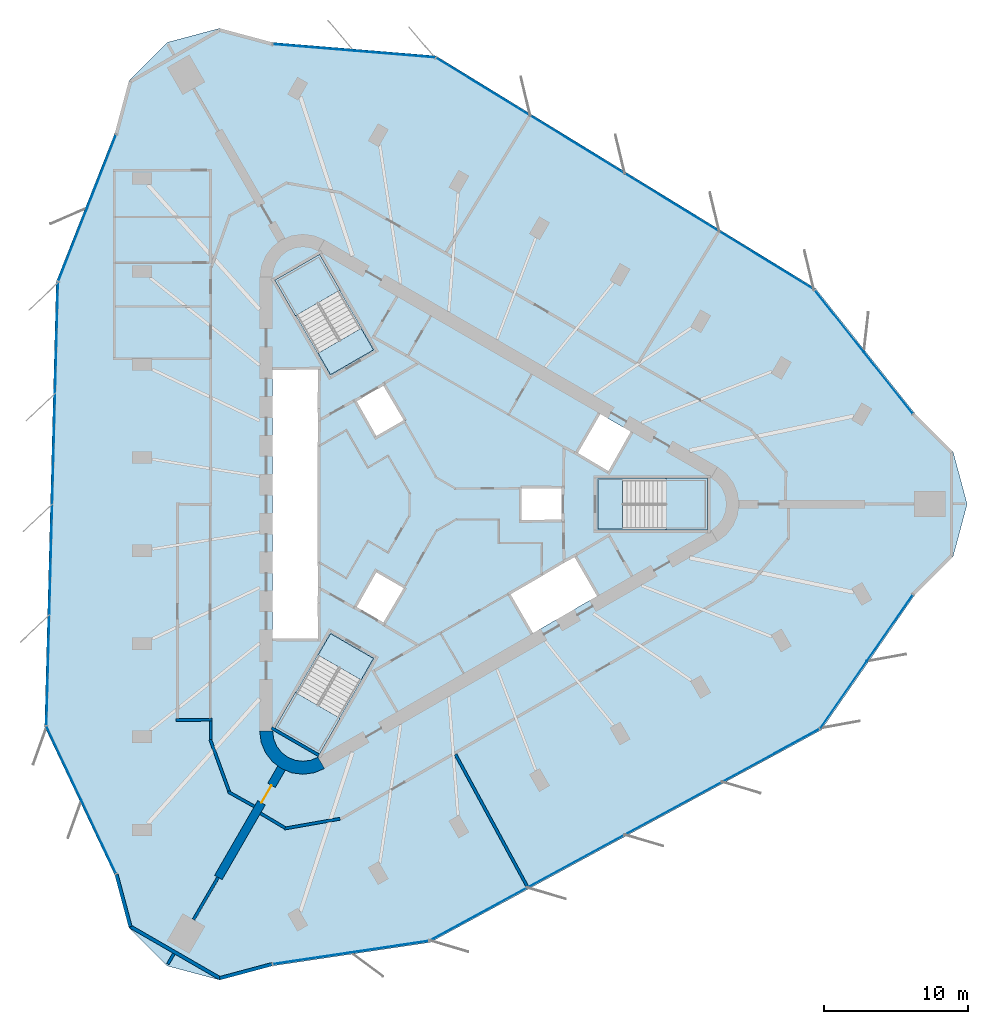
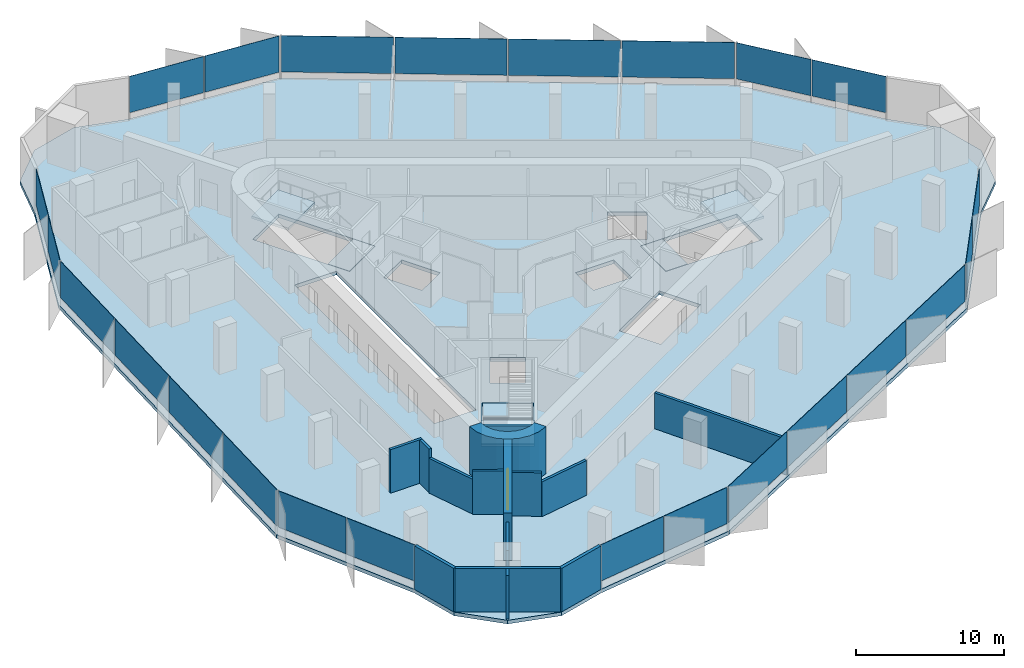
# One storey, part 7 of 13: 24 plates, 15 walls, 7 slabs, 1 door, 1 opening, 12 elements without a shape of their own.
"""IFC4 building model written with IfcOpenShell, lengths in metres."""

import ifcopenshell
import ifcopenshell.guid

model = None  # the IFC model being written
_history = None  # IfcOwnerHistory: only IFC2X3 demands one
_inside = {}  # id of a spatial element -> (the spatial element, [elements in it])
_under = {}  # id of a project, library or spatial element -> (it, [spatial elements below it])
_declared = {}  # id of a project -> (the project, [libraries it declares])
_typed = {}  # id of a type object -> (the type object, [elements of that type])
_made_of = {}  # id of a material, layer set ... -> (it, [elements and type objects made of it])


def new_model(schema):
    """Start an empty IFC model of exactly this schema.

    Asked for "IFC4X3", IfcOpenShell would pick the latest addendum, in which some entities
    have other attributes; the version numbers below select the first issue.
    IFC2X3 requires an IfcOwnerHistory on every rooted entity: one is made here for all.
    """
    global model, _history
    if schema == "IFC4X3":
        model = ifcopenshell.file(schema_version=(4, 3, 0, 0))
    else:
        model = ifcopenshell.file(schema=schema)
    _inside.clear()
    _under.clear()
    _declared.clear()
    _typed.clear()
    _made_of.clear()
    _history = None
    if model.schema == "IFC2X3":
        org = make("IfcOrganization", Name="unknown")
        user = make(
            "IfcPersonAndOrganization",
            ThePerson=make("IfcPerson", FamilyName="unknown"),
            TheOrganization=org,
        )
        app = make(
            "IfcApplication",
            ApplicationDeveloper=org,
            Version="unknown",
            ApplicationFullName="unknown",
            ApplicationIdentifier="unknown",
        )
        _history = make(
            "IfcOwnerHistory",
            OwningUser=user,
            OwningApplication=app,
            ChangeAction="ADDED",
            CreationDate=0,
        )
    return model


def make(cls, **values):
    """One entity of the class cls with the attributes given. An attribute that is None is left unset."""
    return model.create_entity(
        cls, **{name: value for name, value in values.items() if value is not None}
    )


def rooted(cls, **values):
    """An entity with a GlobalId (a new one), such as an element, a storey or a relation."""
    return make(cls, GlobalId=ifcopenshell.guid.new(), OwnerHistory=_history, **values)


def si_unit(unit_type, name, prefix=None):
    """IfcSIUnit, for example si_unit("LENGTHUNIT", "METRE", prefix="MILLI")."""
    return make("IfcSIUnit", UnitType=unit_type, Prefix=prefix, Name=name)


def assignment(units):
    """IfcUnitAssignment: the units of a project."""
    return None if units is None else make("IfcUnitAssignment", Units=units)


def point(xyz):
    """IfcCartesianPoint."""
    return None if xyz is None else make("IfcCartesianPoint", Coordinates=xyz)


def direction(xyz):
    """IfcDirection."""
    return None if xyz is None else make("IfcDirection", DirectionRatios=xyz)


def frame(location, z_axis=None, x_axis=None):
    """IfcAxis2Placement3D, a coordinate frame: its origin and axes. An axis left out is left unset."""
    return make(
        "IfcAxis2Placement3D",
        Location=point(location),
        Axis=direction(z_axis),
        RefDirection=direction(x_axis),
    )


def frame_2d(location, x_axis=None):
    """IfcAxis2Placement2D, a coordinate frame in the plane: its origin and x axis."""
    return make(
        "IfcAxis2Placement2D", Location=point(location), RefDirection=direction(x_axis)
    )


def origin():
    """The frame at (0, 0, 0) with its axes left unset."""
    return frame((0.0, 0.0, 0.0))


def origin_2d():
    """The frame at (0, 0) in the plane with its x axis left unset."""
    return frame_2d((0.0, 0.0))


def place(relative_to, where):
    """IfcLocalPlacement: puts the frame where relative to a parent placement (None: the world)."""
    return make(
        "IfcLocalPlacement", PlacementRelTo=relative_to, RelativePlacement=where
    )


def context(
    kind, dimensions, precision=None, world=None, true_north=None, identifier=None
):
    """IfcGeometricRepresentationContext, for example the 3D "Model" context."""
    return make(
        "IfcGeometricRepresentationContext",
        ContextIdentifier=identifier,
        ContextType=kind,
        CoordinateSpaceDimension=dimensions,
        Precision=precision,
        WorldCoordinateSystem=world,
        TrueNorth=true_north,
    )


def subcontext(parent, identifier, kind, view, scale=None):
    """IfcGeometricRepresentationSubContext, for example "Body" below "Model"."""
    return make(
        "IfcGeometricRepresentationSubContext",
        ContextIdentifier=identifier,
        ContextType=kind,
        ParentContext=parent,
        TargetScale=scale,
        TargetView=view,
    )


def project(units=None, contexts=None):
    """IfcProject with its units and contexts."""
    return rooted(
        "IfcProject",
        Name="project",
        RepresentationContexts=contexts,
        UnitsInContext=assignment(units),
    )


def spatial(cls, under=None, at=None, **own):
    """A site, building, storey or space (cls), placed at a placement, below another one or the project."""
    s = rooted(cls, ObjectPlacement=at, **own)
    if under is not None:
        _under.setdefault(under.id(), (under, []))[1].append(s)
    return s


def polyline(points):
    """IfcPolyline through the points."""
    return make("IfcPolyline", Points=[point(p) for p in points])


def profile(cls, at=None, kind="AREA", **sizes):
    """A parametric profile (cls). Its sizes go by their IFC names, for example OverallWidth=200.0."""
    return make(cls, ProfileType=kind, Position=at, **sizes)


def rectangle(**sizes):
    """IfcRectangleProfileDef."""
    return profile("IfcRectangleProfileDef", **sizes)


def outline(outer, holes=None, kind="AREA"):
    """IfcArbitraryClosedProfileDef: a profile drawn as a closed curve; with holes, ...WithVoids."""
    if holes is None:
        return make("IfcArbitraryClosedProfileDef", ProfileType=kind, OuterCurve=outer)
    return make(
        "IfcArbitraryProfileDefWithVoids",
        ProfileType=kind,
        OuterCurve=outer,
        InnerCurves=holes,
    )


def extrude(swept, where, along, depth):
    """IfcExtrudedAreaSolid: the profile swept, set in the frame where, extruded along a direction by depth."""
    return make(
        "IfcExtrudedAreaSolid",
        SweptArea=swept,
        Position=where,
        ExtrudedDirection=direction(along),
        Depth=depth,
    )


def shape(context_of_items, identifier, shape_type, items):
    """IfcShapeRepresentation: the items that make up one representation, for example the "Body"."""
    return make(
        "IfcShapeRepresentation",
        ContextOfItems=context_of_items,
        RepresentationIdentifier=identifier,
        RepresentationType=shape_type,
        Items=items,
    )


def material(Name=None, Category=None):
    """IfcMaterial."""
    return make("IfcMaterial", Name=Name, Category=Category)


def layer(
    of_material, thickness, ventilated=None, Name=None, Category=None, Priority=None
):
    """IfcMaterialLayer: one layer of a wall or slab, of a material (None: an air gap)."""
    return make(
        "IfcMaterialLayer",
        Material=of_material,
        LayerThickness=thickness,
        IsVentilated=ventilated,
        Name=Name,
        Category=Category,
        Priority=Priority,
    )


def layer_set(layers, Name=None):
    """IfcMaterialLayerSet."""
    return make("IfcMaterialLayerSet", MaterialLayers=layers, LayerSetName=Name)


def made_of(thing, what):
    """Note that an element or type object is made of a material, layer set ...; save() writes the relation."""
    if what is not None:
        _made_of.setdefault(what.id(), (what, []))[1].append(thing)
    return thing


def type_object(cls, material=None, **own):
    """A type object (cls), such as IfcWallType, which elements share."""
    return made_of(rooted(cls, **own), material)


def element(
    cls,
    number,
    at=None,
    inside=None,
    cuts=None,
    type_object=None,
    material=None,
    context=None,
    identifier="Body",
    shape_type=None,
    held_by="IfcProductDefinitionShape",
    body=None,
    shapes=None,
    **own,
):
    """One element of the class cls, such as IfcWall. Its Tag is "e" and its number.

    at: its placement. inside: the storey or other place that contains it. cuts: it is an
    opening in that element (IfcRelVoidsElement). A single representation is given by context,
    identifier, shape_type and body (its items); several are given by shapes. held_by: the class
    of the entity that holds the representations. save() writes the other relations.
    """
    e = rooted(cls, Tag="e%d" % number, ObjectPlacement=at, **own)
    if body is not None:
        shapes = [shape(context, identifier, shape_type, body)]
    if shapes is not None:
        e.Representation = make(held_by, Representations=shapes)
    if inside is not None:
        _inside.setdefault(inside.id(), (inside, []))[1].append(e)
    if cuts is not None:
        rooted(
            "IfcRelVoidsElement", RelatingBuildingElement=cuts, RelatedOpeningElement=e
        )
    if type_object is not None:
        _typed.setdefault(type_object.id(), (type_object, []))[1].append(e)
    return made_of(e, material)


def fill(opening, filler):
    """IfcRelFillsElement: the door or window that sits in an opening."""
    return rooted(
        "IfcRelFillsElement",
        RelatingOpeningElement=opening,
        RelatedBuildingElement=filler,
    )


def aggregate(whole, parts):
    """IfcRelAggregates: a whole, such as a stair, and the parts it consists of."""
    return rooted("IfcRelAggregates", RelatingObject=whole, RelatedObjects=parts)


def save(model, path):
    """Write the relations noted so far, then the file.

    IfcRelAggregates (storeys below a building ...), IfcRelContainedInSpatialStructure (elements
    in a storey), IfcRelDefinesByType, IfcRelAssociatesMaterial and IfcRelDeclares: one each for
    every whole, place, type object, material and project.
    """
    for whole, parts in _under.values():
        aggregate(whole, parts)
    for where, things in _inside.values():
        rooted(
            "IfcRelContainedInSpatialStructure",
            RelatedElements=things,
            RelatingStructure=where,
        )
    for kind, things in _typed.values():
        rooted("IfcRelDefinesByType", RelatedObjects=things, RelatingType=kind)
    for what, things in _made_of.values():
        rooted("IfcRelAssociatesMaterial", RelatedObjects=things, RelatingMaterial=what)
    for by, libraries in _declared.values():
        rooted("IfcRelDeclares", RelatingContext=by, RelatedDefinitions=libraries)
    model.write(path)


model = new_model("IFC4")

# Units and contexts
model_context = context("Model", 3, precision=1e-05, world=origin(), true_north=direction((0.0, 1.0)))
body_context = subcontext(model_context, "Body", "Model", "MODEL_VIEW")
ifc_project = project(units=[si_unit("LENGTHUNIT", "METRE"), si_unit("AREAUNIT", "SQUARE_METRE"), si_unit("VOLUMEUNIT", "CUBIC_METRE"), si_unit("PLANEANGLEUNIT", "RADIAN"), si_unit("MASSUNIT", "GRAM", prefix="KILO")], contexts=[model_context])

# Site, building, storey
site_placement = place(None, origin())
site = spatial("IfcSite", under=ifc_project, at=site_placement, CompositionType="ELEMENT")
building_placement = place(site_placement, origin())
building = spatial("IfcBuilding", under=site, at=building_placement, Name="Tanit Gate Tower", CompositionType="ELEMENT")
storey_placement = place(building_placement, frame((0.0, 0.0, 326.0)))
storey = spatial("IfcBuildingStorey", under=building, at=storey_placement, Name="L73", CompositionType="ELEMENT", Elevation=326.0)

# Slab
ifc_material_1 = material(Name="Concrete C35/45", Category="concrete")
ifc_layer_1 = layer(ifc_material_1, 0.300048828125)
ifc_layer_set_1 = layer_set([ifc_layer_1], Name="FLOOR SLAB 300 C35/45")
slab_type_1 = type_object("IfcSlabType", Name="FLOOR SLAB 300 C35/45", PredefinedType="FLOOR", material=ifc_layer_set_1)
slab_1_placement = place(storey_placement, frame((0.0, 0.0, -0.300048828125)))
element("IfcSlab", 1, at=slab_1_placement, inside=storey, type_object=slab_type_1, Name="FLOOR SLAB L73", PredefinedType="FLOOR", context=body_context, shape_type="SweptSolid", body=[
    extrude(outline(polyline([(33.388916015625, 6.315185546875), (36.05810546875, 3.64599609375), (37.034912109375, 0.0), (36.05810546875, -3.64599609375), (33.388916015625, -6.315185546875), (26.90185546875, -15.685791015625), (-0.26953125, -30.44287109375), (-11.225341796875, -32.0732421875), (-14.871337890625, -33.05029296875), (-18.517578125, -32.0732421875), (-21.186767578125, -29.404052734375), (-22.16357421875, -25.758056640625), (-27.035400390625, -15.454833984375), (-26.2294921875, 15.454833984375), (-22.16357421875, 25.758056640625), (-21.186767578125, 29.404052734375), (-18.517578125, 32.0732421875), (-14.871337890625, 33.05029296875), (-11.225341796875, 32.0732421875), (0.13330078125, 31.140625), (26.4990234375, 14.988037109375), (33.388916015625, 6.315185546875)]), holes=[polyline([(11.3701171875, 1.72998046875), (18.929931640625, 1.72998046875), (18.929931640625, -1.72998046875), (11.3701171875, -1.72998046875), (11.3701171875, 1.72998046875)]), polyline([(12.158935546875, 2.159912109375), (9.82080078125, 3.510009765625), (11.44580078125, 6.324462890625), (13.783935546875, 4.974609375), (12.158935546875, 2.159912109375)]), polyline([(11.44580078125, -6.324462890625), (6.76904296875, -9.0244140625), (5.14404296875, -6.2099609375), (9.82080078125, -3.510009765625), (11.44580078125, -6.324462890625)]), polyline([(6.0, 1.199951171875), (9.0, 1.199951171875), (9.0, -1.199951171875), (6.0, -1.199951171875), (6.0, 1.199951171875)]), polyline([(-4.039306640625, 4.59619140625), (-5.539306640625, 7.194091796875), (-3.460693359375, 8.394287109375), (-1.960693359375, 5.796142578125), (-4.039306640625, 4.59619140625)]), polyline([(-1.960693359375, -5.796142578125), (-3.460693359375, -8.394287109375), (-5.539306640625, -7.194091796875), (-4.039306640625, -4.59619140625), (-1.960693359375, -5.796142578125)]), polyline([(-7.18310546875, 8.981689453125), (-10.963134765625, 15.52880859375), (-7.966796875, 17.2587890625), (-4.186767578125, 10.711669921875), (-7.18310546875, 8.981689453125)]), polyline([(-4.186767578125, -10.711669921875), (-7.966796875, -17.2587890625), (-10.963134765625, -15.52880859375), (-7.18310546875, -8.981689453125), (-4.186767578125, -10.711669921875)]), polyline([(-11.199951171875, -9.449951171875), (-11.199951171875, 9.449951171875), (-7.949951171875, 9.449951171875), (-7.949951171875, -9.449951171875), (-11.199951171875, -9.449951171875)])]), origin(), (0.0, 0.0, 1.0), 0.300048828125),
])

# Curtain wall, plates
ifc_material_2 = material(Name="Aluminium bronze anodised and glass", Category="aluminium")
curtain_wall_type = type_object("IfcCurtainWallType", Name="Curtain wall typical high", PredefinedType="NOTDEFINED", material=ifc_material_2)
curtain_wall_1_placement = place(storey_placement, origin())
curtain_wall_1 = element("IfcCurtainWall", 2, at=curtain_wall_1_placement, inside=storey, type_object=curtain_wall_type, Name="Curtain wall L73 NE1", PredefinedType="NOTDEFINED")
ifc_material_3 = material(Name="Glass tinted", Category="glass")
ifc_layer_2 = layer(ifc_material_3, 0.028076171875)
ifc_layer_set_2 = layer_set([ifc_layer_2], Name="Glass panel 28 typical high")
plate_type = type_object("IfcPlateType", Name="Glass panel 28 typical high", PredefinedType="CURTAIN_PANEL", material=ifc_layer_set_2)
plate_1_placement = place(storey_placement, frame((31.566650390625, 8.416259765625, 0.60009765625), z_axis=(0.0, 0.0, 1.0), x_axis=(-0.622036020701, 0.782988626322, 0.0)))
plate_1 = element("IfcPlate", 3, at=plate_1_placement, type_object=plate_type, Name="Glass panel L73 NE1.1", PredefinedType="CURTAIN_PANEL", context=body_context, shape_type="SweptSolid", body=[
    extrude(rectangle(XDim=5.410888671875, YDim=0.028076171875, at=origin_2d()), origin(), (0.0, 0.0, 1.0), 3.0),
])
plate_2_placement = place(storey_placement, frame((28.15087890625, 12.715576171875, 0.60009765625), z_axis=(0.0, 0.0, 1.0), x_axis=(-0.622036020701, 0.782988626322, 0.0)))
plate_2 = element("IfcPlate", 4, at=plate_2_placement, type_object=plate_type, Name="Glass panel L73 NE1.2", PredefinedType="CURTAIN_PANEL", context=body_context, shape_type="SweptSolid", body=[
    extrude(rectangle(XDim=5.4111328125, YDim=0.028076171875, at=origin_2d()), origin(), (0.0, 0.0, 1.0), 3.0),
])
aggregate(curtain_wall_1, [plate_1, plate_2])

curtain_wall_2_placement = place(storey_placement, origin())
curtain_wall_2 = element("IfcCurtainWall", 5, at=curtain_wall_2_placement, inside=storey, type_object=curtain_wall_type, Name="Curtain wall L73 NE2", PredefinedType="NOTDEFINED")
plate_3_placement = place(storey_placement, frame((23.102294921875, 16.92822265625, 0.60009765625), z_axis=(0.0, 0.0, 1.0), x_axis=(-0.852699967985, 0.522400961521, 0.0)))
plate_3 = element("IfcPlate", 6, at=plate_3_placement, type_object=plate_type, Name="Glass panel L73 NE2.1", PredefinedType="CURTAIN_PANEL", context=body_context, shape_type="SweptSolid", body=[
    extrude(rectangle(XDim=7.61767578125, YDim=0.028076171875, at=origin_2d()), origin(), (0.0, 0.0, 1.0), 3.0),
])
plate_4_placement = place(storey_placement, frame((16.53857421875, 20.949462890625, 0.60009765625), z_axis=(0.0, 0.0, 1.0), x_axis=(-0.852699967985, 0.522400961521, 0.0)))
plate_4 = element("IfcPlate", 7, at=plate_4_placement, type_object=plate_type, Name="Glass panel L73 NE2.2", PredefinedType="CURTAIN_PANEL", context=body_context, shape_type="SweptSolid", body=[
    extrude(rectangle(XDim=7.61767578125, YDim=0.028076171875, at=origin_2d()), origin(), (0.0, 0.0, 1.0), 3.0),
])
plate_5_placement = place(storey_placement, frame((9.974853515625, 24.970703125, 0.60009765625), z_axis=(0.0, 0.0, 1.0), x_axis=(-0.852699967985, 0.522400961521, 0.0)))
plate_5 = element("IfcPlate", 8, at=plate_5_placement, type_object=plate_type, Name="Glass panel L73 NE2.3", PredefinedType="CURTAIN_PANEL", context=body_context, shape_type="SweptSolid", body=[
    extrude(rectangle(XDim=7.61767578125, YDim=0.028076171875, at=origin_2d()), origin(), (0.0, 0.0, 1.0), 3.0),
])
plate_6_placement = place(storey_placement, frame((3.4111328125, 28.991943359375, 0.60009765625), z_axis=(0.0, 0.0, 1.0), x_axis=(-0.852699967985, 0.522400961521, 0.0)))
plate_6 = element("IfcPlate", 9, at=plate_6_placement, type_object=plate_type, Name="Glass panel L73 NE2.4", PredefinedType="CURTAIN_PANEL", context=body_context, shape_type="SweptSolid", body=[
    extrude(rectangle(XDim=7.617431640625, YDim=0.028076171875, at=origin_2d()), origin(), (0.0, 0.0, 1.0), 3.0),
])
aggregate(curtain_wall_2, [plate_3, plate_4, plate_5, plate_6])

curtain_wall_3_placement = place(storey_placement, origin())
curtain_wall_3 = element("IfcCurtainWall", 10, at=curtain_wall_3_placement, inside=storey, type_object=curtain_wall_type, Name="Curtain wall L73 NE3", PredefinedType="NOTDEFINED")
plate_7_placement = place(storey_placement, frame((-2.760009765625, 31.2578125, 0.60009765625), z_axis=(0.0, 0.0, 1.0), x_axis=(-0.996646303076, 0.081829985733, 0.0)))
plate_7 = element("IfcPlate", 11, at=plate_7_placement, type_object=plate_type, Name="Glass panel L73 NE3.1", PredefinedType="CURTAIN_PANEL", context=body_context, shape_type="SweptSolid", body=[
    extrude(rectangle(XDim=5.569580078125, YDim=0.028076171875, at=origin_2d()), origin(), (0.0, 0.0, 1.0), 3.0),
])
plate_8_placement = place(storey_placement, frame((-8.390625, 31.72021484375, 0.60009765625), z_axis=(0.0, 0.0, 1.0), x_axis=(-0.996646303076, 0.081829985733, 0.0)))
plate_8 = element("IfcPlate", 12, at=plate_8_placement, type_object=plate_type, Name="Glass panel L73 NE3.2", PredefinedType="CURTAIN_PANEL", context=body_context, shape_type="SweptSolid", body=[
    extrude(rectangle(XDim=5.569580078125, YDim=0.028076171875, at=origin_2d()), origin(), (0.0, 0.0, 1.0), 3.0),
])
aggregate(curtain_wall_3, [plate_7, plate_8])

curtain_wall_4_placement = place(storey_placement, origin())
curtain_wall_4 = element("IfcCurtainWall", 13, at=curtain_wall_4_placement, inside=storey, type_object=curtain_wall_type, Name="Curtain wall L73 W1", PredefinedType="NOTDEFINED")
plate_9_placement = place(storey_placement, frame((-23.072021484375, 23.12939453125, 0.60009765625), z_axis=(0.0, 0.0, 1.0), x_axis=(-0.367070030919, -0.930193309157, 0.0)))
plate_9 = element("IfcPlate", 14, at=plate_9_placement, type_object=plate_type, Name="Glass panel L73 W1.1", PredefinedType="CURTAIN_PANEL", context=body_context, shape_type="SweptSolid", body=[
    extrude(rectangle(XDim=5.410888671875, YDim=0.028076171875, at=origin_2d()), origin(), (0.0, 0.0, 1.0), 3.0),
])
plate_10_placement = place(storey_placement, frame((-25.087646484375, 18.021484375, 0.60009765625), z_axis=(0.0, 0.0, 1.0), x_axis=(-0.367070030919, -0.930193309157, 0.0)))
plate_10 = element("IfcPlate", 15, at=plate_10_placement, type_object=plate_type, Name="Glass panel L73 W1.2", PredefinedType="CURTAIN_PANEL", context=body_context, shape_type="SweptSolid", body=[
    extrude(rectangle(XDim=5.4111328125, YDim=0.028076171875, at=origin_2d()), origin(), (0.0, 0.0, 1.0), 3.0),
])
aggregate(curtain_wall_4, [plate_9, plate_10])

curtain_wall_5_placement = place(storey_placement, origin())
curtain_wall_5 = element("IfcCurtainWall", 16, at=curtain_wall_5_placement, inside=storey, type_object=curtain_wall_type, Name="Curtain wall L73 W2", PredefinedType="NOTDEFINED")
plate_11_placement = place(storey_placement, frame((-26.21142578125, 11.54296875, 0.60009765625), z_axis=(0.0, 0.0, 1.0), x_axis=(-0.026062519646, -0.999660314842, 0.0)))
plate_11 = element("IfcPlate", 17, at=plate_11_placement, type_object=plate_type, Name="Glass panel L73 W2.1", PredefinedType="CURTAIN_PANEL", context=body_context, shape_type="SweptSolid", body=[
    extrude(rectangle(XDim=7.61767578125, YDim=0.028076171875, at=origin_2d()), origin(), (0.0, 0.0, 1.0), 3.0),
])
plate_12_placement = place(storey_placement, frame((-26.412109375, 3.84814453125, 0.60009765625), z_axis=(0.0, 0.0, 1.0), x_axis=(-0.026062519646, -0.999660314842, 0.0)))
plate_12 = element("IfcPlate", 18, at=plate_12_placement, type_object=plate_type, Name="Glass panel L73 W2.2", PredefinedType="CURTAIN_PANEL", context=body_context, shape_type="SweptSolid", body=[
    extrude(rectangle(XDim=7.61767578125, YDim=0.028076171875, at=origin_2d()), origin(), (0.0, 0.0, 1.0), 3.0),
])
plate_13_placement = place(storey_placement, frame((-26.612548828125, -3.846923828125, 0.60009765625), z_axis=(0.0, 0.0, 1.0), x_axis=(-0.026062519646, -0.999660314842, 0.0)))
plate_13 = element("IfcPlate", 19, at=plate_13_placement, type_object=plate_type, Name="Glass panel L73 W2.3", PredefinedType="CURTAIN_PANEL", context=body_context, shape_type="SweptSolid", body=[
    extrude(rectangle(XDim=7.61767578125, YDim=0.028076171875, at=origin_2d()), origin(), (0.0, 0.0, 1.0), 3.0),
])
plate_14_placement = place(storey_placement, frame((-26.813232421875, -11.5419921875, 0.60009765625), z_axis=(0.0, 0.0, 1.0), x_axis=(-0.026062519646, -0.999660314842, 0.0)))
plate_14 = element("IfcPlate", 20, at=plate_14_placement, type_object=plate_type, Name="Glass panel L73 W2.4", PredefinedType="CURTAIN_PANEL", context=body_context, shape_type="SweptSolid", body=[
    extrude(rectangle(XDim=7.617431640625, YDim=0.028076171875, at=origin_2d()), origin(), (0.0, 0.0, 1.0), 3.0),
])
aggregate(curtain_wall_5, [plate_11, plate_12, plate_13, plate_14])

curtain_wall_6_placement = place(storey_placement, origin())
curtain_wall_6 = element("IfcCurtainWall", 21, at=curtain_wall_6_placement, inside=storey, type_object=curtain_wall_type, Name="Curtain wall L73 W3", PredefinedType="NOTDEFINED")
plate_15_placement = place(storey_placement, frame((-25.68994140625, -18.019287109375, 0.60009765625), z_axis=(0.0, 0.0, 1.0), x_axis=(0.427456305102, -0.904036009918, 0.0)))
plate_15 = element("IfcPlate", 22, at=plate_15_placement, type_object=plate_type, Name="Glass panel L73 W3.1", PredefinedType="CURTAIN_PANEL", context=body_context, shape_type="SweptSolid", body=[
    extrude(rectangle(XDim=5.569580078125, YDim=0.028076171875, at=origin_2d()), origin(), (0.0, 0.0, 1.0), 3.0),
])
plate_16_placement = place(storey_placement, frame((-23.275146484375, -23.126708984375, 0.60009765625), z_axis=(0.0, 0.0, 1.0), x_axis=(0.427456305102, -0.904036009918, 0.0)))
plate_16 = element("IfcPlate", 23, at=plate_16_placement, type_object=plate_type, Name="Glass panel L73 W3.2", PredefinedType="CURTAIN_PANEL", context=body_context, shape_type="SweptSolid", body=[
    extrude(rectangle(XDim=5.569580078125, YDim=0.028076171875, at=origin_2d()), origin(), (0.0, 0.0, 1.0), 3.0),
])
aggregate(curtain_wall_6, [plate_15, plate_16])

curtain_wall_7_placement = place(storey_placement, origin())
curtain_wall_7 = element("IfcCurtainWall", 24, at=curtain_wall_7_placement, inside=storey, type_object=curtain_wall_type, Name="Curtain wall L73 SE1", PredefinedType="NOTDEFINED")
plate_17_placement = place(storey_placement, frame((-8.49462890625, -31.545654296875, 0.60009765625), z_axis=(0.0, 0.0, 1.0), x_axis=(0.98910605162, 0.147204682835, 0.0)))
plate_17 = element("IfcPlate", 25, at=plate_17_placement, type_object=plate_type, Name="Glass panel L73 SE1.1", PredefinedType="CURTAIN_PANEL", context=body_context, shape_type="SweptSolid", body=[
    extrude(rectangle(XDim=5.410888671875, YDim=0.028076171875, at=origin_2d()), origin(), (0.0, 0.0, 1.0), 3.0),
])
plate_18_placement = place(storey_placement, frame((-3.063232421875, -30.7373046875, 0.60009765625), z_axis=(0.0, 0.0, 1.0), x_axis=(0.98910605162, 0.147204682835, 0.0)))
plate_18 = element("IfcPlate", 26, at=plate_18_placement, type_object=plate_type, Name="Glass panel L73 SE1.2", PredefinedType="CURTAIN_PANEL", context=body_context, shape_type="SweptSolid", body=[
    extrude(rectangle(XDim=5.4111328125, YDim=0.028076171875, at=origin_2d()), origin(), (0.0, 0.0, 1.0), 3.0),
])
aggregate(curtain_wall_7, [plate_17, plate_18])

curtain_wall_8_placement = place(storey_placement, origin())
curtain_wall_8 = element("IfcCurtainWall", 27, at=curtain_wall_8_placement, inside=storey, type_object=curtain_wall_type, Name="Curtain wall L73 SE2", PredefinedType="NOTDEFINED")
plate_19_placement = place(storey_placement, frame((3.109130859375, -28.47119140625, 0.60009765625), z_axis=(0.0, 0.0, 1.0), x_axis=(0.878762487631, 0.477259353321, 0.0)))
plate_19 = element("IfcPlate", 28, at=plate_19_placement, type_object=plate_type, Name="Glass panel L73 SE2.1", PredefinedType="CURTAIN_PANEL", context=body_context, shape_type="SweptSolid", body=[
    extrude(rectangle(XDim=7.61767578125, YDim=0.028076171875, at=origin_2d()), origin(), (0.0, 0.0, 1.0), 3.0),
])
plate_20_placement = place(storey_placement, frame((9.87353515625, -24.797607421875, 0.60009765625), z_axis=(0.0, 0.0, 1.0), x_axis=(0.878762487631, 0.477259353321, 0.0)))
plate_20 = element("IfcPlate", 29, at=plate_20_placement, type_object=plate_type, Name="Glass panel L73 SE2.2", PredefinedType="CURTAIN_PANEL", context=body_context, shape_type="SweptSolid", body=[
    extrude(rectangle(XDim=7.61767578125, YDim=0.028076171875, at=origin_2d()), origin(), (0.0, 0.0, 1.0), 3.0),
])
plate_21_placement = place(storey_placement, frame((16.637939453125, -21.123779296875, 0.60009765625), z_axis=(0.0, 0.0, 1.0), x_axis=(0.878762487631, 0.477259353321, 0.0)))
plate_21 = element("IfcPlate", 30, at=plate_21_placement, type_object=plate_type, Name="Glass panel L73 SE2.3", PredefinedType="CURTAIN_PANEL", context=body_context, shape_type="SweptSolid", body=[
    extrude(rectangle(XDim=7.61767578125, YDim=0.028076171875, at=origin_2d()), origin(), (0.0, 0.0, 1.0), 3.0),
])
plate_22_placement = place(storey_placement, frame((23.402099609375, -17.449951171875, 0.60009765625), z_axis=(0.0, 0.0, 1.0), x_axis=(0.878762487631, 0.477259353321, 0.0)))
plate_22 = element("IfcPlate", 31, at=plate_22_placement, type_object=plate_type, Name="Glass panel L73 SE2.4", PredefinedType="CURTAIN_PANEL", context=body_context, shape_type="SweptSolid", body=[
    extrude(rectangle(XDim=7.617431640625, YDim=0.028076171875, at=origin_2d()), origin(), (0.0, 0.0, 1.0), 3.0),
])
aggregate(curtain_wall_8, [plate_19, plate_20, plate_21, plate_22])

curtain_wall_9_placement = place(storey_placement, origin())
curtain_wall_9 = element("IfcCurtainWall", 32, at=curtain_wall_9_placement, inside=storey, type_object=curtain_wall_type, Name="Curtain wall L73 SE3", PredefinedType="NOTDEFINED")
plate_23_placement = place(storey_placement, frame((28.4501953125, -13.238525390625, 0.60009765625), z_axis=(0.0, 0.0, 1.0), x_axis=(0.569189997974, 0.822206024185, 0.0)))
plate_23 = element("IfcPlate", 33, at=plate_23_placement, type_object=plate_type, Name="Glass panel L73 SE3.1", PredefinedType="CURTAIN_PANEL", context=body_context, shape_type="SweptSolid", body=[
    extrude(rectangle(XDim=5.569580078125, YDim=0.028076171875, at=origin_2d()), origin(), (0.0, 0.0, 1.0), 3.0),
])
plate_24_placement = place(storey_placement, frame((31.665771484375, -8.593505859375, 0.60009765625), z_axis=(0.0, 0.0, 1.0), x_axis=(0.569189997974, 0.822206024185, 0.0)))
plate_24 = element("IfcPlate", 34, at=plate_24_placement, type_object=plate_type, Name="Glass panel L73 SE3.2", PredefinedType="CURTAIN_PANEL", context=body_context, shape_type="SweptSolid", body=[
    extrude(rectangle(XDim=5.569580078125, YDim=0.028076171875, at=origin_2d()), origin(), (0.0, 0.0, 1.0), 3.0),
])
aggregate(curtain_wall_9, [plate_23, plate_24])

# Stair, slab
ifc_material_4 = material(Name="Concrete C40/50", Category="concrete")
stair_type = type_object("IfcStairType", Name="INT-STAIR-EXIT", PredefinedType="HALF_TURN_STAIR", material=ifc_material_4)
stair_1_placement = place(storey_placement, origin())
stair_1 = element("IfcStair", 35, at=stair_1_placement, inside=storey, type_object=stair_type, Name="L73 STAIR S1", PredefinedType="HALF_TURN_STAIR")
ifc_material_5 = material(Name="Concrete C40/50", Category="concrete")
ifc_layer_3 = layer(ifc_material_5, 0.199951171875)
ifc_layer_set_3 = layer_set([ifc_layer_3], Name="INT-STAIR-LANDING")
slab_type_2 = type_object("IfcSlabType", Name="INT-STAIR-LANDING", PredefinedType="LANDING", material=ifc_layer_set_3)
slab_2_placement = place(storey_placement, frame((0.0, 0.0, 1.75)))
slab_2 = element("IfcSlab", 36, at=slab_2_placement, type_object=slab_type_2, Name="S1 landing 1", PredefinedType="LANDING", context=body_context, shape_type="SweptSolid", body=[
    extrude(outline(polyline([(16.135986328125, -1.800048828125), (19.0, -1.800048828125), (19.0, 1.800048828125), (16.135986328125, 1.800048828125), (16.135986328125, -1.800048828125)])), origin(), (0.0, 0.0, 1.0), 0.199951171875),
])
aggregate(stair_1, [slab_2])

# Slab
slab_3_placement = place(storey_placement, frame((0.0, 0.0, -0.199951171875)))
element("IfcSlab", 37, at=slab_3_placement, inside=storey, type_object=slab_type_2, Name="S1 floor landing", PredefinedType="LANDING", context=body_context, shape_type="SweptSolid", body=[
    extrude(outline(polyline([(11.3798828125, -1.719970703125), (13.10498046875, -1.719970703125), (13.10498046875, 1.719970703125), (11.3798828125, 1.719970703125), (11.3798828125, -1.719970703125)])), origin(), (0.0, 0.0, 1.0), 0.199951171875),
])

# Stair, slab
stair_2_placement = place(storey_placement, origin())
stair_2 = element("IfcStair", 38, at=stair_2_placement, inside=storey, type_object=stair_type, Name="L73 STAIR S2", PredefinedType="HALF_TURN_STAIR")
slab_4_placement = place(storey_placement, frame((0.0, 0.0, 1.75)))
slab_4 = element("IfcSlab", 39, at=slab_4_placement, type_object=slab_type_2, Name="S2 landing 1", PredefinedType="LANDING", context=body_context, shape_type="SweptSolid", body=[
    extrude(outline(polyline([(-6.5078125, 14.871826171875), (-7.941162109375, 17.3544921875), (-11.058837890625, 15.554443359375), (-9.62548828125, 13.07177734375), (-6.5078125, 14.871826171875)])), origin(), (0.0, 0.0, 1.0), 0.199951171875),
])
aggregate(stair_2, [slab_4])

# Slab
slab_5_placement = place(storey_placement, frame((0.0, 0.0, -0.199951171875)))
element("IfcSlab", 40, at=slab_5_placement, inside=storey, type_object=slab_type_2, Name="S2 floor landing", PredefinedType="LANDING", context=body_context, shape_type="SweptSolid", body=[
    extrude(outline(polyline([(-4.200439453125, 10.71533203125), (-5.0625, 12.20849609375), (-8.04150390625, 10.48828125), (-7.179443359375, 8.995361328125), (-4.200439453125, 10.71533203125)])), origin(), (0.0, 0.0, 1.0), 0.199951171875),
])

# Stair, slab
stair_3_placement = place(storey_placement, origin())
stair_3 = element("IfcStair", 41, at=stair_3_placement, inside=storey, type_object=stair_type, Name="L73 STAIR S3", PredefinedType="HALF_TURN_STAIR")
slab_6_placement = place(storey_placement, frame((0.0, 0.0, 1.75)))
slab_6 = element("IfcSlab", 42, at=slab_6_placement, type_object=slab_type_2, Name="S3 landing 1", PredefinedType="LANDING", context=body_context, shape_type="SweptSolid", body=[
    extrude(outline(polyline([(-9.626953125, -13.07421875), (-11.058837890625, -15.554443359375), (-7.941162109375, -17.3544921875), (-6.509033203125, -14.874267578125), (-9.626953125, -13.07421875)])), origin(), (0.0, 0.0, 1.0), 0.199951171875),
])
aggregate(stair_3, [slab_6])

# Slab
slab_7_placement = place(storey_placement, frame((0.0, 0.0, -0.199951171875)))
element("IfcSlab", 43, at=slab_7_placement, inside=storey, type_object=slab_type_2, Name="S3 floor landing", PredefinedType="LANDING", context=body_context, shape_type="SweptSolid", body=[
    extrude(outline(polyline([(-7.179443359375, -8.995361328125), (-8.0419921875, -10.4892578125), (-5.06298828125, -12.209228515625), (-4.200439453125, -10.71533203125), (-7.179443359375, -8.995361328125)])), origin(), (0.0, 0.0, 1.0), 0.199951171875),
])

# Wall, opening, door
ifc_material_6 = material(Name="Concrete C40/50", Category="concrete")
ifc_layer_4 = layer(ifc_material_6, 0.60009765625)
ifc_layer_set_4 = layer_set([ifc_layer_4], Name="BUTTRESS FIN 600 C40/50")
wall_type_1 = type_object("IfcWallType", Name="BUTTRESS FIN 600 C40/50", PredefinedType="SHEAR", material=ifc_layer_set_4)
wall_1_placement = place(storey_placement, frame((-10.574951171875, -18.31640625, 0.0), z_axis=(0.0, 0.0, 1.0), x_axis=(-0.499987805019, -0.866032444446, 0.0)))
wall_1 = element("IfcWall", 44, at=wall_1_placement, inside=storey, type_object=wall_type_1, Name="BUTTRESS FIN", PredefinedType="SHEAR", context=body_context, shape_type="SweptSolid", body=[
    extrude(rectangle(XDim=8.787353515625, YDim=0.60009765625, at=frame_2d((4.3935546875, 0.0))), origin(), (0.0, 0.0, 1.0), 3.89990234375),
])
opening_placement = place(wall_1_placement, frame((1.39990234375, 0.0, 0.0)))
opening = element("IfcOpeningElement", 45, at=opening_placement, cuts=wall_1, Name="Opening P14-S20-F-SW-1", PredefinedType="OPENING", context=body_context, shape_type="SweptSolid", body=[
    extrude(rectangle(XDim=1.39990234375, YDim=2.39990234375, at=frame_2d((0.699951171875, 1.199951171875))), frame((0.0, 0.31005859375, 0.0), z_axis=(0.0, -1.0, 0.0), x_axis=(1.0, 0.0, 0.0)), (0.0, 0.0, 1.0), 0.6201171875),
])
ifc_material_7 = material(Name="Timber door leaf", Category="wood")
door_type = type_object("IfcDoorType", Name="INT-DOOR-FIN-PAIR-1400", OperationType="NOTDEFINED", PredefinedType="NOTDEFINED", material=ifc_material_7)
door_placement = place(opening_placement, origin())
door = element("IfcDoor", 46, at=door_placement, inside=storey, type_object=door_type, Name="Door P14-S20-F-SW-1", OperationType="DOUBLE_DOOR_SINGLE_SWING", OverallHeight=2.39990234375, OverallWidth=1.39990234375, PredefinedType="NOTDEFINED", context=body_context, shape_type="SweptSolid", body=[
    extrude(rectangle(XDim=1.39990234375, YDim=2.39990234375, at=frame_2d((0.699951171875, 1.199951171875))), frame((0.0, 0.02490234375, 0.0), z_axis=(0.0, -1.0, 0.0), x_axis=(1.0, 0.0, 0.0)), (0.0, 0.0, 1.0), 0.050048828125),
])
fill(opening, door)

# Walls
ifc_material_8 = material(Name="Concrete C40/50", Category="concrete")
ifc_layer_5 = layer(ifc_material_8, 0.89990234375)
ifc_layer_set_5 = layer_set([ifc_layer_5], Name="CORE WALL 900 C40/50")
wall_type_2 = type_object("IfcWallType", Name="CORE WALL 900 C40/50", PredefinedType="SHEAR", material=ifc_layer_set_5)
wall_2_placement = place(storey_placement, origin())
element("IfcWall", 47, at=wall_2_placement, inside=storey, type_object=wall_type_2, Name="CORE WALL CORNER", PredefinedType="SHEAR", context=body_context, shape_type="SweptSolid", body=[
    extrude(outline(polyline([(-12.10009765625, -15.76171875), (-11.997802734375, -16.5380859375), (-11.697998046875, -17.26171875), (-11.22119140625, -17.883056640625), (-10.60009765625, -18.359619140625), (-9.87646484375, -18.659423828125), (-9.10009765625, -18.76171875), (-8.323486328125, -18.659423828125), (-7.60009765625, -18.359619140625), (-8.050048828125, -17.580322265625), (-8.556396484375, -17.7900390625), (-9.10009765625, -17.86181640625), (-9.6435546875, -17.7900390625), (-10.14990234375, -17.580322265625), (-10.5849609375, -17.24658203125), (-10.918701171875, -16.811767578125), (-11.12841796875, -16.30517578125), (-11.199951171875, -15.76171875), (-12.10009765625, -15.76171875)])), origin(), (0.0, 0.0, 1.0), 3.89990234375),
])
ifc_material_9 = material(Name="Concrete C30/37 with bronze anodised aluminium cladding", Category="concrete")
ifc_layer_6 = layer(ifc_material_9, 0.239990234375)
ifc_layer_set_6 = layer_set([ifc_layer_6], Name="Facade wall bronze clad 240")
wall_type_3 = type_object("IfcWallType", Name="Facade wall bronze clad 240", PredefinedType="SOLIDWALL", material=ifc_layer_set_6)
wall_3_placement = place(storey_placement, frame((-22.050537109375, -25.716552734375, 0.0), z_axis=(0.0, 0.0, 1.0), x_axis=(0.258816283321, -0.965926566302, 0.0)))
element("IfcWall", 48, at=wall_3_placement, inside=storey, type_object=wall_type_3, Name="Bronze-clad facade wall L73 SW.arc1", PredefinedType="SOLIDWALL", context=body_context, shape_type="SweptSolid", body=[
    extrude(rectangle(XDim=3.75341796875, YDim=0.239990234375, at=frame_2d((1.876708984375, 0.0))), origin(), (0.0, 0.0, 1.0), 3.60009765625),
])
wall_4_placement = place(storey_placement, frame((-21.0791015625, -29.342041015625, 0.0), z_axis=(0.0, 0.0, 1.0), x_axis=(0.866029611329, -0.499992712247, 0.0)))
element("IfcWall", 49, at=wall_4_placement, inside=storey, type_object=wall_type_3, Name="Bronze-clad facade wall L73 SW.arc2", PredefinedType="SOLIDWALL", context=body_context, shape_type="SweptSolid", body=[
    extrude(rectangle(XDim=7.16796875, YDim=0.239990234375, at=frame_2d((3.583984375, 0.0))), origin(), (0.0, 0.0, 1.0), 3.60009765625),
])
wall_5_placement = place(storey_placement, frame((-14.871337890625, -32.926025390625, 0.0), z_axis=(0.0, 0.0, 1.0), x_axis=(0.965921891913, 0.258833727946, 0.0)))
element("IfcWall", 50, at=wall_5_placement, inside=storey, type_object=wall_type_3, Name="Bronze-clad facade wall L73 SW.arc3", PredefinedType="SOLIDWALL", context=body_context, shape_type="SweptSolid", body=[
    extrude(rectangle(XDim=3.749267578125, YDim=0.239990234375, at=frame_2d((1.87451171875, 0.0))), origin(), (0.0, 0.0, 1.0), 3.60009765625),
])
ifc_material_10 = material(Name="Fire-rated gypsum board partition")
ifc_layer_7 = layer(ifc_material_10, 0.199951171875)
ifc_layer_set_7 = layer_set([ifc_layer_7], Name="INT-WALL-COMPARTMENT")
wall_type_4 = type_object("IfcWallType", Name="INT-WALL-COMPARTMENT", PredefinedType="PARTITIONING", material=ifc_layer_set_7)
wall_6_placement = place(storey_placement, frame((-17.89990234375, -15.001220703125, 0.0), z_axis=(0.0, 0.0, 1.0), x_axis=(0.999915662945, 0.012987185857, 0.0)))
element("IfcWall", 51, at=wall_6_placement, inside=storey, type_object=wall_type_4, Name="Wall Compartment W084", PredefinedType="PARTITIONING", context=body_context, shape_type="SweptSolid", body=[
    extrude(rectangle(XDim=2.500244140625, YDim=0.199951171875, at=frame_2d((1.25, 0.0))), origin(), (0.0, 0.0, 1.0), 3.60009765625),
])
wall_7_placement = place(storey_placement, frame((-14.293212890625, -19.9775390625, 0.0), z_axis=(0.0, 0.0, 1.0), x_axis=(0.872510000486, -0.48859625362, 0.0)))
element("IfcWall", 52, at=wall_7_placement, inside=storey, type_object=wall_type_4, Name="Wall Compartment W087", PredefinedType="PARTITIONING", context=body_context, shape_type="SweptSolid", body=[
    extrude(rectangle(XDim=2.089599609375, YDim=0.199951171875, at=frame_2d((1.044921875, 0.0))), origin(), (0.0, 0.0, 1.0), 3.60009765625),
])
wall_8_placement = place(storey_placement, frame((-15.5341796875, -16.346435546875, 0.0), z_axis=(0.0, 0.0, 1.0), x_axis=(0.342001008711, -0.939699584996, 0.0)))
element("IfcWall", 53, at=wall_8_placement, inside=storey, type_object=wall_type_4, Name="Wall Compartment W088", PredefinedType="PARTITIONING", context=body_context, shape_type="SweptSolid", body=[
    extrude(rectangle(XDim=3.87548828125, YDim=0.199951171875, at=frame_2d((1.937744140625, 0.0))), origin(), (0.0, 0.0, 1.0), 2.8798828125),
])
wall_9_placement = place(storey_placement, frame((-15.5, -15.070068359375, 0.0), z_axis=(0.0, 0.0, 1.0), x_axis=(0.0, -1.0, 0.0)))
element("IfcWall", 54, at=wall_9_placement, inside=storey, type_object=wall_type_4, Name="Wall Compartment W089", PredefinedType="PARTITIONING", context=body_context, shape_type="SweptSolid", body=[
    extrude(rectangle(XDim=1.2705078125, YDim=0.199951171875, at=frame_2d((0.63525390625, 0.0))), origin(), (0.0, 0.0, 1.0), 3.60009765625),
])
wall_10_placement = place(storey_placement, frame((-10.405517578125, -22.53759765625, 0.0), z_axis=(0.0, 0.0, 1.0), x_axis=(0.98480284819, 0.173675991999, 0.0)))
element("IfcWall", 55, at=wall_10_placement, inside=storey, type_object=wall_type_4, Name="Wall Compartment W106", PredefinedType="PARTITIONING", context=body_context, shape_type="SweptSolid", body=[
    extrude(rectangle(XDim=3.94873046875, YDim=0.199951171875, at=frame_2d((1.974365234375, 0.0))), origin(), (0.0, 0.0, 1.0), 2.8798828125),
])
wall_11_placement = place(storey_placement, frame((-12.05029296875, -21.4716796875, 0.0), z_axis=(0.0, 0.0, 1.0), x_axis=(0.859577966481, -0.511004617924, 0.0)))
element("IfcWall", 56, at=wall_11_placement, inside=storey, type_object=wall_type_4, Name="Wall Compartment W107", PredefinedType="PARTITIONING", context=body_context, shape_type="SweptSolid", body=[
    extrude(rectangle(XDim=1.99755859375, YDim=0.199951171875, at=frame_2d((0.998779296875, 0.0))), origin(), (0.0, 0.0, 1.0), 3.60009765625),
])
wall_12_placement = place(storey_placement, frame((-18.477294921875, -31.94384765625, 0.0), z_axis=(0.0, 0.0, 1.0), x_axis=(0.499798627271, 0.866141635172, 0.0)))
element("IfcWall", 57, at=wall_12_placement, inside=storey, type_object=wall_type_4, Name="Wall Compartment W110", PredefinedType="PARTITIONING", context=body_context, shape_type="SweptSolid", body=[
    extrude(rectangle(XDim=0.832275390625, YDim=0.199951171875, at=frame_2d((0.416015625, 0.0))), origin(), (0.0, 0.0, 1.0), 3.60009765625),
])
wall_13_placement = place(storey_placement, frame((-16.693603515625, -28.85400390625, 0.0), z_axis=(0.0, 0.0, 1.0), x_axis=(0.503017521745, 0.864276213266, 0.0)))
element("IfcWall", 58, at=wall_13_placement, inside=storey, type_object=wall_type_4, Name="Wall Compartment W111", PredefinedType="PARTITIONING", context=body_context, shape_type="SweptSolid", body=[
    extrude(rectangle(XDim=3.39794921875, YDim=0.199951171875, at=frame_2d((1.698974609375, 0.0))), origin(), (0.0, 0.0, 1.0), 3.169921875),
])
wall_14_placement = place(storey_placement, frame((1.498779296875, -17.37890625, 0.0), z_axis=(0.0, 0.0, 1.0), x_axis=(0.477249140753, -0.87876803404, 0.0)))
element("IfcWall", 59, at=wall_14_placement, inside=storey, type_object=wall_type_4, Name="Wall Compartment W124", PredefinedType="PARTITIONING", context=body_context, shape_type="SweptSolid", body=[
    extrude(rectangle(XDim=10.51611328125, YDim=0.199951171875, at=frame_2d((5.258056640625, 0.0))), origin(), (0.0, 0.0, 1.0), 2.969970703125),
])
ifc_material_11 = material(Name="Concrete C40/50", Category="concrete")
ifc_layer_8 = layer(ifc_material_11, 0.199951171875)
ifc_layer_set_8 = layer_set([ifc_layer_8], Name="INT-WALL-STAIR")
wall_type_5 = type_object("IfcWallType", Name="INT-WALL-STAIR", PredefinedType="SHEAR", material=ifc_layer_set_8)
wall_15_placement = place(storey_placement, frame((-11.281982421875, -15.541015625, -0.300048828125), z_axis=(0.0, 0.0, 1.0), x_axis=(0.866000483506, -0.500043160704, 0.0)))
element("IfcWall", 60, at=wall_15_placement, inside=storey, type_object=wall_type_5, Name="Wall Stair W037", PredefinedType="SHEAR", context=body_context, shape_type="SweptSolid", body=[
    extrude(rectangle(XDim=3.800048828125, YDim=0.199951171875, at=frame_2d((1.89990234375, 0.0))), origin(), (0.0, 0.0, 1.0), 3.900146484375),
])

save(model, "model.ifc")
